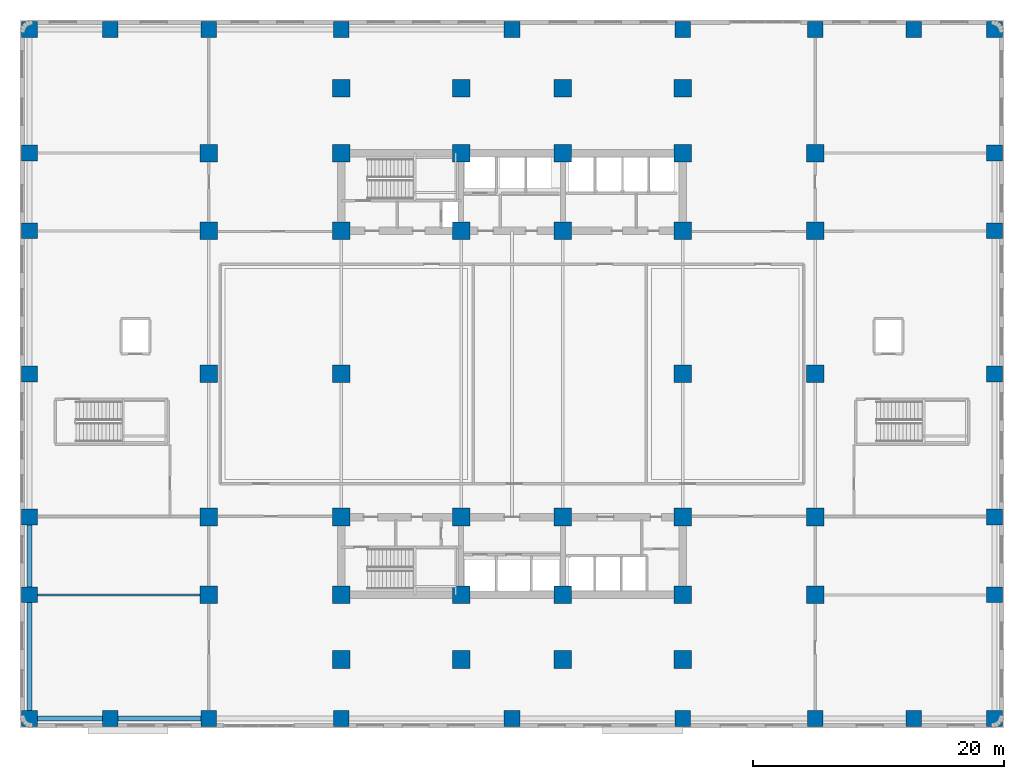
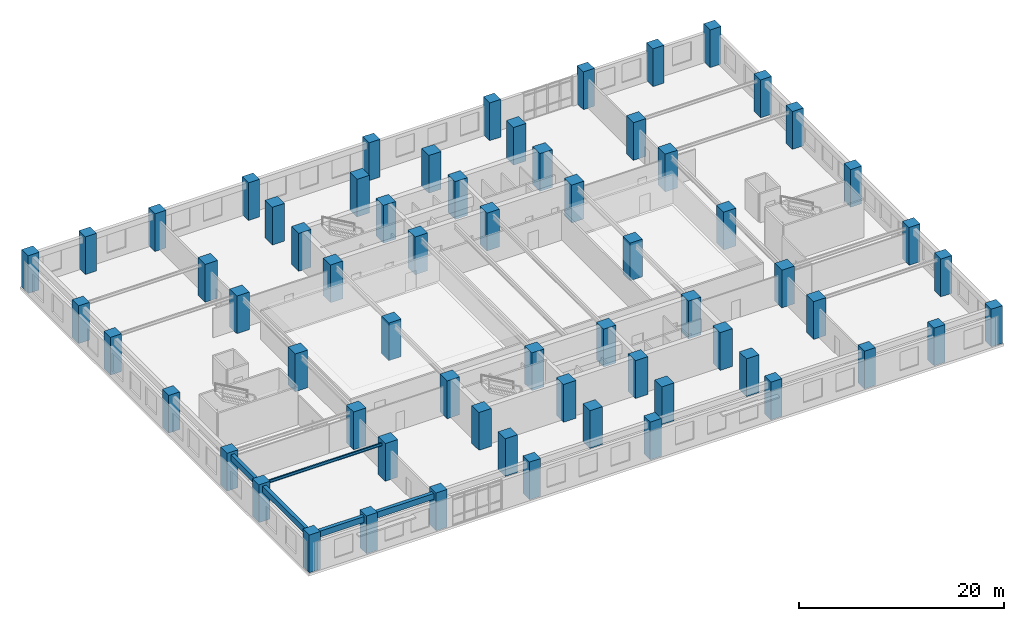
# One storey, part 1 of 15: 64 columns, 5 beams.
"""IFC4 building model written with IfcOpenShell, lengths in metres."""

from ifc_helpers import new_model, si_unit, direction, frame, origin, origin_2d, place, context, subcontext, project, spatial, rectangle, i_section, extrude, material, material_profile, profile_set, type_object, element, save


model = new_model("IFC4")

# Units and contexts
model_context = context("Model", 3, precision=1e-05, world=origin(), true_north=direction((0.0, 1.0)))
body_context = subcontext(model_context, "Body", "Model", "MODEL_VIEW")
ifc_project = project(units=[si_unit("LENGTHUNIT", "METRE"), si_unit("AREAUNIT", "SQUARE_METRE"), si_unit("VOLUMEUNIT", "CUBIC_METRE"), si_unit("PLANEANGLEUNIT", "RADIAN"), si_unit("MASSUNIT", "GRAM", prefix="KILO")], contexts=[model_context])

# Site, building, storey
site_placement = place(None, origin())
site = spatial("IfcSite", under=ifc_project, at=site_placement, CompositionType="ELEMENT")
building_placement = place(site_placement, origin())
building = spatial("IfcBuilding", under=site, at=building_placement, Name="Svetorya Sky Lyceum", CompositionType="ELEMENT")
storey_placement = place(building_placement, frame((0.0, 0.0, 6.60009765625)))
storey = spatial("IfcBuildingStorey", under=building, at=storey_placement, Name="L01", CompositionType="ELEMENT", Elevation=6.60009765625)

# Columns
ifc_material_1 = material(Name="Concrete C60/75", Category="concrete")
ifc_material_profile_1 = material_profile(ifc_material_1, rectangle(XDim=1.25, YDim=1.25, at=origin_2d()), Name="RC COL 1250x1250")
ifc_profile_set_1 = profile_set([ifc_material_profile_1], Name="Concrete C60/75")
column_type_1 = type_object("IfcColumnType", Name="COL-RC-1250", PredefinedType="COLUMN", material=ifc_profile_set_1)
for number, where, z_axis, x_axis, name in (
    (1, (0.75, 0.75, 0.0), (0.0, 0.0, 1.0), (1.0, 0.0, 0.0), "L01 Podium Column PC-0101"),
    (2, (0.75, 10.60009765625, 0.0), (0.0, 0.0, 1.0), (1.0, 0.0, 0.0), "L01 Podium Column PC-0102"),
    (3, (0.75, 16.800048828125, 0.0), (0.0, 0.0, 1.0), (1.0, 0.0, 0.0), "L01 Podium Column PC-0103"),
    (4, (0.75, 28.199951171875, 0.0), (0.0, 0.0, 1.0), (1.0, 0.0, 0.0), "L01 Podium Column PC-0104"),
    (5, (0.75, 39.60009765625, 0.0), (0.0, 0.0, 1.0), (1.0, 0.0, 0.0), "L01 Podium Column PC-0105"),
    (6, (0.75, 45.800048828125, 0.0), (0.0, 0.0, 1.0), (1.0, 0.0, 0.0), "L01 Podium Column PC-0106"),
    (7, (0.75, 55.64990234375, 0.0), (0.0, 0.0, 1.0), (1.0, 0.0, 0.0), "L01 Podium Column PC-0107"),
    (8, (7.199951171875, 0.75, 0.0), (0.0, 0.0, 1.0), (1.0, 0.0, 0.0), "L01 Podium Column PC-0201"),
    (9, (7.199951171875, 55.64990234375, 0.0), (0.0, 0.0, 1.0), (1.0, 0.0, 0.0), "L01 Podium Column PC-0207"),
    (10, (15.050048828125, 0.75, 0.0), (0.0, 0.0, 1.0), (1.0, 0.0, 0.0), "L01 Podium Column PC-0301"),
    (11, (15.050048828125, 55.64990234375, 0.0), (0.0, 0.0, 1.0), (1.0, 0.0, 0.0), "L01 Podium Column PC-0307"),
    (12, (25.60009765625, 0.75, 0.0), (0.0, 0.0, 1.0), (1.0, 0.0, 0.0), "L01 Podium Column PC-0401"),
    (13, (25.60009765625, 55.64990234375, 0.0), (0.0, 0.0, 1.0), (1.0, 0.0, 0.0), "L01 Podium Column PC-0407"),
    (14, (39.199951171875, 0.75, 0.0), (0.0, 0.0, 1.0), (1.0, 0.0, 0.0), "L01 Podium Column PC-0501"),
    (15, (39.199951171875, 55.64990234375, 0.0), (0.0, 0.0, 1.0), (1.0, 0.0, 0.0), "L01 Podium Column PC-0507"),
    (16, (52.800048828125, 0.75, 0.0), (0.0, 0.0, 1.0), (1.0, 0.0, 0.0), "L01 Podium Column PC-0601"),
    (17, (52.800048828125, 55.64990234375, 0.0), (0.0, 0.0, 1.0), (1.0, 0.0, 0.0), "L01 Podium Column PC-0607"),
    (18, (63.35009765625, 0.75, 0.0), (0.0, 0.0, 1.0), (1.0, 0.0, 0.0), "L01 Podium Column PC-0701"),
    (19, (63.35009765625, 55.64990234375, 0.0), (0.0, 0.0, 1.0), (1.0, 0.0, 0.0), "L01 Podium Column PC-0707"),
    (20, (71.199951171875, 0.75, 0.0), (0.0, 0.0, 1.0), (1.0, 0.0, 0.0), "L01 Podium Column PC-0801"),
    (21, (71.199951171875, 55.64990234375, 0.0), (0.0, 0.0, 1.0), (1.0, 0.0, 0.0), "L01 Podium Column PC-0807"),
    (22, (77.64990234375, 0.75, 0.0), (0.0, 0.0, 1.0), (1.0, 0.0, 0.0), "L01 Podium Column PC-0901"),
    (23, (77.64990234375, 10.60009765625, 0.0), (0.0, 0.0, 1.0), (1.0, 0.0, 0.0), "L01 Podium Column PC-0902"),
    (24, (77.64990234375, 16.800048828125, 0.0), (0.0, 0.0, 1.0), (1.0, 0.0, 0.0), "L01 Podium Column PC-0903"),
    (25, (77.64990234375, 28.199951171875, 0.0), (0.0, 0.0, 1.0), (1.0, 0.0, 0.0), "L01 Podium Column PC-0904"),
    (26, (77.64990234375, 39.60009765625, 0.0), (0.0, 0.0, 1.0), (1.0, 0.0, 0.0), "L01 Podium Column PC-0905"),
    (27, (77.64990234375, 45.800048828125, 0.0), (0.0, 0.0, 1.0), (1.0, 0.0, 0.0), "L01 Podium Column PC-0906"),
    (28, (77.64990234375, 55.64990234375, 0.0), (0.0, 0.0, 1.0), (1.0, 0.0, 0.0), "L01 Podium Column PC-0907"),
):
    element("IfcColumn", number, at=place(storey_placement, frame(where, z_axis=z_axis, x_axis=x_axis)), inside=storey, type_object=column_type_1, Name=name, PredefinedType="COLUMN", context=body_context, shape_type="SweptSolid", body=[
        extrude(rectangle(XDim=1.25, YDim=1.25, at=origin_2d()), origin(), (0.0, 0.0, 1.0), 4.5),
    ])
ifc_material_profile_2 = material_profile(ifc_material_1, rectangle(XDim=1.39990234375, YDim=1.39990234375, at=origin_2d()), Name="RC COL 1400x1400")
ifc_profile_set_2 = profile_set([ifc_material_profile_2], Name="Concrete C60/75")
column_type_2 = type_object("IfcColumnType", Name="COL-RC-1400", PredefinedType="COLUMN", material=ifc_profile_set_2)
for number, where, z_axis, x_axis, name in (
    (29, (25.60009765625, 10.60009765625, 0.0), (0.0, 0.0, 1.0), (1.0, 0.0, 0.0), "L01 Core Column CS-11"),
    (30, (25.60009765625, 16.800048828125, 0.0), (0.0, 0.0, 1.0), (1.0, 0.0, 0.0), "L01 Core Column CS-12"),
    (31, (35.14990234375, 10.60009765625, 0.0), (0.0, 0.0, 1.0), (1.0, 0.0, 0.0), "L01 Core Column CS-21"),
    (32, (35.14990234375, 16.800048828125, 0.0), (0.0, 0.0, 1.0), (1.0, 0.0, 0.0), "L01 Core Column CS-22"),
    (33, (43.25, 10.60009765625, 0.0), (0.0, 0.0, 1.0), (1.0, 0.0, 0.0), "L01 Core Column CS-31"),
    (34, (43.25, 16.800048828125, 0.0), (0.0, 0.0, 1.0), (1.0, 0.0, 0.0), "L01 Core Column CS-32"),
    (35, (52.800048828125, 10.60009765625, 0.0), (0.0, 0.0, 1.0), (1.0, 0.0, 0.0), "L01 Core Column CS-41"),
    (36, (52.800048828125, 16.800048828125, 0.0), (0.0, 0.0, 1.0), (1.0, 0.0, 0.0), "L01 Core Column CS-42"),
    (37, (25.60009765625, 39.60009765625, 0.0), (0.0, 0.0, 1.0), (1.0, 0.0, 0.0), "L01 Core Column CN-11"),
    (38, (25.60009765625, 45.800048828125, 0.0), (0.0, 0.0, 1.0), (1.0, 0.0, 0.0), "L01 Core Column CN-12"),
    (39, (35.14990234375, 39.60009765625, 0.0), (0.0, 0.0, 1.0), (1.0, 0.0, 0.0), "L01 Core Column CN-21"),
    (40, (35.14990234375, 45.800048828125, 0.0), (0.0, 0.0, 1.0), (1.0, 0.0, 0.0), "L01 Core Column CN-22"),
    (41, (43.25, 39.60009765625, 0.0), (0.0, 0.0, 1.0), (1.0, 0.0, 0.0), "L01 Core Column CN-31"),
    (42, (43.25, 45.800048828125, 0.0), (0.0, 0.0, 1.0), (1.0, 0.0, 0.0), "L01 Core Column CN-32"),
    (43, (52.800048828125, 39.60009765625, 0.0), (0.0, 0.0, 1.0), (1.0, 0.0, 0.0), "L01 Core Column CN-41"),
    (44, (52.800048828125, 45.800048828125, 0.0), (0.0, 0.0, 1.0), (1.0, 0.0, 0.0), "L01 Core Column CN-42"),
    (45, (25.60009765625, 28.199951171875, 0.0), (0.0, 0.0, 1.0), (1.0, 0.0, 0.0), "L01 Core Column CM-W"),
    (46, (52.800048828125, 28.199951171875, 0.0), (0.0, 0.0, 1.0), (1.0, 0.0, 0.0), "L01 Core Column CM-E"),
    (47, (25.60009765625, 5.449951171875, 0.0), (0.0, 0.0, 1.0), (1.0, 0.0, 0.0), "L01 Podium Tower-Line Column S1"),
    (48, (25.60009765625, 50.949951171875, 0.0), (0.0, 0.0, 1.0), (1.0, 0.0, 0.0), "L01 Podium Tower-Line Column N1"),
    (49, (35.14990234375, 5.449951171875, 0.0), (0.0, 0.0, 1.0), (1.0, 0.0, 0.0), "L01 Podium Tower-Line Column S2"),
    (50, (35.14990234375, 50.949951171875, 0.0), (0.0, 0.0, 1.0), (1.0, 0.0, 0.0), "L01 Podium Tower-Line Column N2"),
    (51, (43.25, 5.449951171875, 0.0), (0.0, 0.0, 1.0), (1.0, 0.0, 0.0), "L01 Podium Tower-Line Column S3"),
    (52, (43.25, 50.949951171875, 0.0), (0.0, 0.0, 1.0), (1.0, 0.0, 0.0), "L01 Podium Tower-Line Column N3"),
    (53, (52.800048828125, 5.449951171875, 0.0), (0.0, 0.0, 1.0), (1.0, 0.0, 0.0), "L01 Podium Tower-Line Column S4"),
    (54, (52.800048828125, 50.949951171875, 0.0), (0.0, 0.0, 1.0), (1.0, 0.0, 0.0), "L01 Podium Tower-Line Column N4"),
    (55, (15.050048828125, 10.60009765625, 0.0), (0.0, 0.0, 1.0), (1.0, 0.0, 0.0), "L01 Podium Tower-Line Column W1"),
    (56, (63.35009765625, 10.60009765625, 0.0), (0.0, 0.0, 1.0), (1.0, 0.0, 0.0), "L01 Podium Tower-Line Column E1"),
    (57, (15.050048828125, 16.800048828125, 0.0), (0.0, 0.0, 1.0), (1.0, 0.0, 0.0), "L01 Podium Tower-Line Column W2"),
    (58, (63.35009765625, 16.800048828125, 0.0), (0.0, 0.0, 1.0), (1.0, 0.0, 0.0), "L01 Podium Tower-Line Column E2"),
    (59, (15.050048828125, 28.199951171875, 0.0), (0.0, 0.0, 1.0), (1.0, 0.0, 0.0), "L01 Podium Tower-Line Column W3"),
    (60, (63.35009765625, 28.199951171875, 0.0), (0.0, 0.0, 1.0), (1.0, 0.0, 0.0), "L01 Podium Tower-Line Column E3"),
    (61, (15.050048828125, 39.60009765625, 0.0), (0.0, 0.0, 1.0), (1.0, 0.0, 0.0), "L01 Podium Tower-Line Column W4"),
    (62, (63.35009765625, 39.60009765625, 0.0), (0.0, 0.0, 1.0), (1.0, 0.0, 0.0), "L01 Podium Tower-Line Column E4"),
    (63, (15.050048828125, 45.800048828125, 0.0), (0.0, 0.0, 1.0), (1.0, 0.0, 0.0), "L01 Podium Tower-Line Column W5"),
    (64, (63.35009765625, 45.800048828125, 0.0), (0.0, 0.0, 1.0), (1.0, 0.0, 0.0), "L01 Podium Tower-Line Column E5"),
):
    element("IfcColumn", number, at=place(storey_placement, frame(where, z_axis=z_axis, x_axis=x_axis)), inside=storey, type_object=column_type_2, Name=name, PredefinedType="COLUMN", context=body_context, shape_type="SweptSolid", body=[
        extrude(rectangle(XDim=1.39990234375, YDim=1.39990234375, at=origin_2d()), origin(), (0.0, 0.0, 1.0), 4.5),
    ])

# Beams
ifc_material_2 = material(Name="Concrete C50/60", Category="concrete")
ifc_material_profile_3 = material_profile(ifc_material_2, rectangle(XDim=0.39990234375, YDim=0.699951171875, at=origin_2d()), Name="RC SPANDREL 400x700")
ifc_profile_set_3 = profile_set([ifc_material_profile_3], Name="Concrete C50/60")
beam_type_1 = type_object("IfcBeamType", Name="BM-SPN-700", PredefinedType="SPANDREL", material=ifc_profile_set_3)
beam_1_placement = place(storey_placement, frame((0.75, 0.75, 3.849853515625), z_axis=(1.0, 0.0, 0.0), x_axis=(0.0, 1.0, 0.0)))
element("IfcBeam", 65, at=beam_1_placement, inside=storey, type_object=beam_type_1, Name="L01 Podium South Spandrel 1", PredefinedType="SPANDREL", context=body_context, shape_type="SweptSolid", body=[
    extrude(rectangle(XDim=0.39990234375, YDim=0.699951171875, at=origin_2d()), origin(), (0.0, 0.0, 1.0), 6.449951171875),
])
beam_2_placement = place(storey_placement, frame((7.199951171875, 0.75, 3.849853515625), z_axis=(1.0, 0.0, 0.0), x_axis=(0.0, 1.0, 0.0)))
element("IfcBeam", 66, at=beam_2_placement, inside=storey, type_object=beam_type_1, Name="L01 Podium South Spandrel 2", PredefinedType="SPANDREL", context=body_context, shape_type="SweptSolid", body=[
    extrude(rectangle(XDim=0.39990234375, YDim=0.699951171875, at=origin_2d()), origin(), (0.0, 0.0, 1.0), 7.85009765625),
])
beam_3_placement = place(storey_placement, frame((0.75, 0.75, 3.849853515625), z_axis=(0.0, 1.0, 0.0), x_axis=(-1.0, 0.0, 0.0)))
element("IfcBeam", 67, at=beam_3_placement, inside=storey, type_object=beam_type_1, Name="L01 Podium West Spandrel 1", PredefinedType="SPANDREL", context=body_context, shape_type="SweptSolid", body=[
    extrude(rectangle(XDim=0.39990234375, YDim=0.699951171875, at=origin_2d()), origin(), (0.0, 0.0, 1.0), 9.85009765625),
])
beam_4_placement = place(storey_placement, frame((0.75, 10.60009765625, 3.849853515625), z_axis=(0.0, 1.0, 0.0), x_axis=(-1.0, 0.0, 0.0)))
element("IfcBeam", 68, at=beam_4_placement, inside=storey, type_object=beam_type_1, Name="L01 Podium West Spandrel 2", PredefinedType="SPANDREL", context=body_context, shape_type="SweptSolid", body=[
    extrude(rectangle(XDim=0.39990234375, YDim=0.699951171875, at=origin_2d()), origin(), (0.0, 0.0, 1.0), 6.199951171875),
])
ifc_material_3 = material(Name="Steel S355", Category="steel")
ifc_material_profile_4 = material_profile(ifc_material_3, i_section(OverallWidth=0.155029296875, OverallDepth=0.34912109375, WebThickness=0.007080078125, FlangeThickness=0.011474609375, at=origin_2d()), Name="GOST 35B2")
ifc_profile_set_4 = profile_set([ifc_material_profile_4], Name="Steel S355")
beam_type_2 = type_object("IfcBeamType", Name="BM-STL-35B2", PredefinedType="JOIST", material=ifc_profile_set_4)
beam_5_placement = place(storey_placement, frame((0.75, 10.60009765625, 4.025390625), z_axis=(1.0, 0.0, 0.0), x_axis=(0.0, 1.0, 0.0)))
element("IfcBeam", 69, at=beam_5_placement, inside=storey, type_object=beam_type_2, Name="L01 Podium Wing Joist W1", PredefinedType="JOIST", context=body_context, shape_type="SweptSolid", body=[
    extrude(i_section(OverallWidth=0.155029296875, OverallDepth=0.34912109375, WebThickness=0.007080078125, FlangeThickness=0.011474609375, at=origin_2d()), origin(), (0.0, 0.0, 1.0), 14.300048828125),
])

save(model, "model.ifc")
